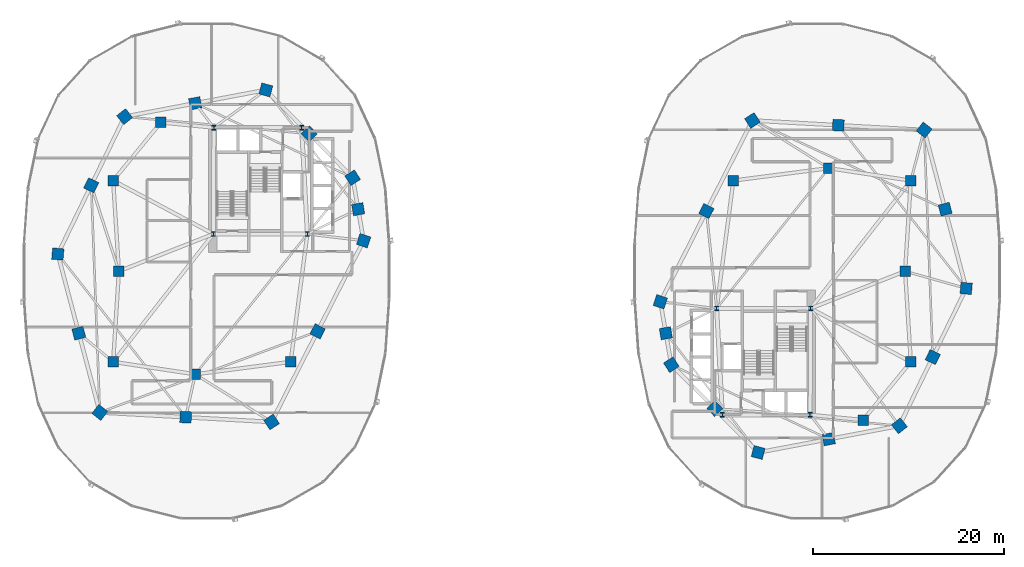
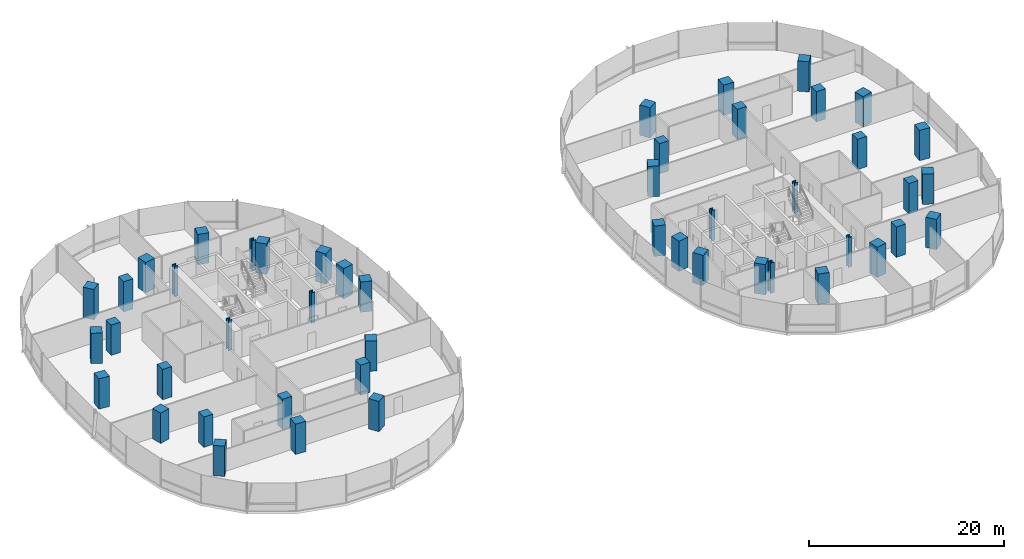
# One storey, part 1 of 21: 48 columns.
"""IFC4 building model written with IfcOpenShell, lengths in metres."""

from ifc_helpers import new_model, si_unit, direction, frame, origin, origin_2d, place, context, subcontext, project, spatial, rectangle, i_section, extrude, material, material_profile, profile_set, type_object, element, save


model = new_model("IFC4")

# Units and contexts
model_context = context("Model", 3, precision=1e-05, world=origin(), true_north=direction((0.0, 1.0)))
body_context = subcontext(model_context, "Body", "Model", "MODEL_VIEW")
ifc_project = project(units=[si_unit("LENGTHUNIT", "METRE"), si_unit("AREAUNIT", "SQUARE_METRE"), si_unit("VOLUMEUNIT", "CUBIC_METRE"), si_unit("PLANEANGLEUNIT", "RADIAN"), si_unit("MASSUNIT", "GRAM", prefix="KILO"), si_unit("THERMODYNAMICTEMPERATUREUNIT", "KELVIN"), si_unit("POWERUNIT", "WATT")], contexts=[model_context])

# Site, building, storey
site_placement = place(None, origin())
site = spatial("IfcSite", under=ifc_project, at=site_placement, CompositionType="ELEMENT")
building_placement = place(site_placement, origin())
building = spatial("IfcBuilding", under=site, at=building_placement, Name="Cundina Bronze Exchange", CompositionType="ELEMENT")
storey_placement = place(building_placement, frame((0.0, 0.0, 62.0)))
storey = spatial("IfcBuildingStorey", under=building, at=storey_placement, Name="L15", CompositionType="ELEMENT", Elevation=62.0)

# Columns
ifc_material_1 = material(Name="Steel ASTM A992 Grade 50", Category="steel")
ifc_material_profile_1 = material_profile(ifc_material_1, i_section(OverallWidth=0.431884765625, OverallDepth=0.498046875, WebThickness=0.0556640625, FlangeThickness=0.0888671875, FilletRadius=0.01806640625, at=origin_2d()), Name="W14X500", Category="steel")
ifc_profile_set_1 = profile_set([ifc_material_profile_1], Name="Steel ASTM A992 Grade 50")
column_type_1 = type_object("IfcColumnType", Name="COL-STL-W14A", PredefinedType="COLUMN", material=ifc_profile_set_1)
for number, where, z_axis, x_axis, name in (
    (1, (-31.300048828125, 3.89990234375, 0.0), (0.0, 0.0, 1.0), (1.0, 0.0, 0.0), "L15 Core Anchor Column W1"),
    (2, (-21.449951171875, 3.89990234375, 0.0), (0.0, 0.0, 1.0), (1.0, 0.0, 0.0), "L15 Core Anchor Column W2"),
    (3, (-22.050048828125, 15.050048828125, 0.0), (0.0, 0.0, 1.0), (1.0, 0.0, 0.0), "L15 Core Anchor Column W3"),
    (4, (-31.25, 15.050048828125, 0.0), (0.0, 0.0, 1.0), (1.0, 0.0, 0.0), "L15 Core Anchor Column W4"),
    (5, (31.300048828125, -3.89990234375, 0.0), (0.0, 0.0, 1.0), (1.0, 0.0, 0.0), "L15 Core Anchor Column E1"),
    (6, (21.449951171875, -3.89990234375, 0.0), (0.0, 0.0, 1.0), (1.0, 0.0, 0.0), "L15 Core Anchor Column E2"),
    (7, (22.050048828125, -15.050048828125, 0.0), (0.0, 0.0, 1.0), (1.0, 0.0, 0.0), "L15 Core Anchor Column E3"),
    (8, (31.25, -15.050048828125, 0.0), (0.0, 0.0, 1.0), (1.0, 0.0, 0.0), "L15 Core Anchor Column E4"),
):
    element("IfcColumn", number, at=place(storey_placement, frame(where, z_axis=z_axis, x_axis=x_axis)), inside=storey, type_object=column_type_1, Name=name, PredefinedType="COLUMN", context=body_context, shape_type="SweptSolid", body=[
        extrude(i_section(OverallWidth=0.431884765625, OverallDepth=0.498046875, WebThickness=0.0556640625, FlangeThickness=0.0888671875, FilletRadius=0.01806640625, at=origin_2d()), origin(), (0.0, 0.0, 1.0), 3.800048828125),
    ])
ifc_material_2 = material(Name="Concrete C60/75", Category="concrete")
ifc_material_profile_2 = material_profile(ifc_material_2, rectangle(XDim=1.199951171875, YDim=1.199951171875, at=origin_2d()), Name="RC1200X1200", Category="concrete")
ifc_profile_set_2 = profile_set([ifc_material_profile_2], Name="Concrete C60/75")
column_type_2 = type_object("IfcColumnType", Name="COL-Z1-1200", PredefinedType="COLUMN", material=ifc_profile_set_2)
for number, where, z_axis, x_axis, name in (
    (9, (-15.550048828125, 3.199951171875, 0.0), (0.0, 0.0, 1.0), (0.315152163383, 0.949041155016, 0.0), "L15 W Perimeter Column 00"),
    (10, (-16.125, 6.5, 0.0), (0.0, 0.0, 1.0), (-0.171585221787, 0.985169280715, 0.0), "L15 W Perimeter Column 01"),
    (11, (-16.699951171875, 9.800048828125, 0.0), (0.0, 0.0, 1.0), (-0.544199833495, 0.838955625301, 0.0), "L15 W Perimeter Column 02"),
    (12, (-21.25, 14.39990234375, 0.0), (0.0, 0.0, 1.0), (-0.703270634186, 0.710922228581, 0.0), "L15 W Perimeter Column 03"),
    (13, (-25.800048828125, 19.0, 0.0), (0.0, 0.0, 1.0), (-0.965970984022, 0.258650455301, 0.0), "L15 W Perimeter Column 04"),
    (14, (-33.199951171875, 17.60009765625, 0.0), (0.0, 0.0, 1.0), (-0.98258037664, -0.185838110843, 0.0), "L15 W Perimeter Column 05"),
    (15, (-40.60009765625, 16.199951171875, 0.0), (0.0, 0.0, 1.0), (-0.785100778485, -0.619368038909, 0.0), "L15 W Perimeter Column 06"),
    (16, (-44.10009765625, 9.0, 0.0), (0.0, 0.0, 1.0), (-0.437115766651, -0.899405251566, 0.0), "L15 W Perimeter Column 07"),
    (17, (-47.60009765625, 1.800048828125, 0.0), (0.0, 0.0, 1.0), (-0.083503921245, -0.996507448611, 0.0), "L15 W Perimeter Column 08"),
    (18, (-45.39990234375, -6.5, 0.0), (0.0, 0.0, 1.0), (0.256289373133, -0.966600102017, 0.0), "L15 W Perimeter Column 09"),
    (19, (-43.199951171875, -14.800048828125, 0.0), (0.0, 0.0, 1.0), (0.786288432137, -0.61785961309, 0.0), "L15 W Perimeter Column 10"),
    (20, (-34.199951171875, -15.300048828125, 0.0), (0.0, 0.0, 1.0), (0.998460188734, -0.055472980025, 0.0), "L15 W Perimeter Column 11"),
    (21, (-25.199951171875, -15.800048828125, 0.0), (0.0, 0.0, 1.0), (0.838099763533, 0.545516989988, 0.0), "L15 W Perimeter Column 12"),
    (22, (-20.375, -6.300048828125, 0.0), (0.0, 0.0, 1.0), (0.452901591366, 0.891560513111, 0.0), "L15 W Perimeter Column 13"),
    (23, (15.550048828125, -3.199951171875, 0.0), (0.0, 0.0, 1.0), (-0.315152163383, -0.949041155016, 0.0), "L15 E Perimeter Column 00"),
    (24, (16.125, -6.5, 0.0), (0.0, 0.0, 1.0), (0.171585221787, -0.985169280715, 0.0), "L15 E Perimeter Column 01"),
    (25, (16.699951171875, -9.800048828125, 0.0), (0.0, 0.0, 1.0), (0.544199833495, -0.838955625301, 0.0), "L15 E Perimeter Column 02"),
    (26, (21.25, -14.39990234375, 0.0), (0.0, 0.0, 1.0), (0.703270634186, -0.710922228581, 0.0), "L15 E Perimeter Column 03"),
    (27, (25.800048828125, -19.0, 0.0), (0.0, 0.0, 1.0), (0.965970984022, -0.258650455301, 0.0), "L15 E Perimeter Column 04"),
    (28, (33.199951171875, -17.60009765625, 0.0), (0.0, 0.0, 1.0), (0.98258037664, 0.185838110843, 0.0), "L15 E Perimeter Column 05"),
    (29, (40.60009765625, -16.199951171875, 0.0), (0.0, 0.0, 1.0), (0.785100778485, 0.619368038909, 0.0), "L15 E Perimeter Column 06"),
    (30, (44.10009765625, -9.0, 0.0), (0.0, 0.0, 1.0), (0.437115766651, 0.899405251566, 0.0), "L15 E Perimeter Column 07"),
    (31, (47.60009765625, -1.800048828125, 0.0), (0.0, 0.0, 1.0), (0.083503921245, 0.996507448611, 0.0), "L15 E Perimeter Column 08"),
    (32, (45.39990234375, 6.5, 0.0), (0.0, 0.0, 1.0), (-0.256289373133, 0.966600102017, 0.0), "L15 E Perimeter Column 09"),
    (33, (43.199951171875, 14.800048828125, 0.0), (0.0, 0.0, 1.0), (-0.786288432137, 0.61785961309, 0.0), "L15 E Perimeter Column 10"),
    (34, (34.199951171875, 15.300048828125, 0.0), (0.0, 0.0, 1.0), (-0.998460188734, 0.055472980025, 0.0), "L15 E Perimeter Column 11"),
    (35, (25.199951171875, 15.800048828125, 0.0), (0.0, 0.0, 1.0), (-0.838099763533, -0.545516989988, 0.0), "L15 E Perimeter Column 12"),
    (36, (20.375, 6.300048828125, 0.0), (0.0, 0.0, 1.0), (-0.452901591366, -0.891560513111, 0.0), "L15 E Perimeter Column 13"),
):
    element("IfcColumn", number, at=place(storey_placement, frame(where, z_axis=z_axis, x_axis=x_axis)), inside=storey, type_object=column_type_2, Name=name, PredefinedType="COLUMN", context=body_context, shape_type="SweptSolid", body=[
        extrude(rectangle(XDim=1.199951171875, YDim=1.199951171875, at=origin_2d()), origin(), (0.0, 0.0, 1.0), 3.800048828125),
    ])
ifc_material_profile_3 = material_profile(ifc_material_2, rectangle(XDim=1.10009765625, YDim=1.10009765625, at=origin_2d()), Name="RC1100X1100", Category="concrete")
ifc_profile_set_3 = profile_set([ifc_material_profile_3], Name="Concrete C60/75")
column_type_3 = type_object("IfcColumnType", Name="COL-Z2-1100", PredefinedType="COLUMN", material=ifc_profile_set_3)
for number, where, z_axis, x_axis, name in (
    (37, (-41.199951171875, 0.0, 0.0), (0.0, 0.0, 1.0), (1.0, 0.0, 0.0), "L15 W Inner Ring Column 1"),
    (38, (-41.800048828125, 9.5, 0.0), (0.0, 0.0, 1.0), (1.0, 0.0, 0.0), "L15 W Inner Ring Column 2"),
    (39, (-36.800048828125, 15.60009765625, 0.0), (0.0, 0.0, 1.0), (1.0, 0.0, 0.0), "L15 W Inner Ring Column 3"),
    (40, (-41.800048828125, -9.5, 0.0), (0.0, 0.0, 1.0), (1.0, 0.0, 0.0), "L15 W Inner Ring Column 4"),
    (41, (-33.199951171875, -10.800048828125, 0.0), (0.0, 0.0, 1.0), (1.0, 0.0, 0.0), "L15 W Inner Ring Column 5"),
    (42, (-23.199951171875, -9.5, 0.0), (0.0, 0.0, 1.0), (1.0, 0.0, 0.0), "L15 W Inner Ring Column 6"),
    (43, (41.199951171875, 0.0, 0.0), (0.0, 0.0, 1.0), (1.0, 0.0, 0.0), "L15 E Inner Ring Column 1"),
    (44, (41.800048828125, -9.5, 0.0), (0.0, 0.0, 1.0), (1.0, 0.0, 0.0), "L15 E Inner Ring Column 2"),
    (45, (36.800048828125, -15.60009765625, 0.0), (0.0, 0.0, 1.0), (1.0, 0.0, 0.0), "L15 E Inner Ring Column 3"),
    (46, (41.800048828125, 9.5, 0.0), (0.0, 0.0, 1.0), (1.0, 0.0, 0.0), "L15 E Inner Ring Column 4"),
    (47, (33.199951171875, 10.800048828125, 0.0), (0.0, 0.0, 1.0), (1.0, 0.0, 0.0), "L15 E Inner Ring Column 5"),
    (48, (23.199951171875, 9.5, 0.0), (0.0, 0.0, 1.0), (1.0, 0.0, 0.0), "L15 E Inner Ring Column 6"),
):
    element("IfcColumn", number, at=place(storey_placement, frame(where, z_axis=z_axis, x_axis=x_axis)), inside=storey, type_object=column_type_3, Name=name, PredefinedType="COLUMN", context=body_context, shape_type="SweptSolid", body=[
        extrude(rectangle(XDim=1.10009765625, YDim=1.10009765625, at=origin_2d()), origin(), (0.0, 0.0, 1.0), 3.800048828125),
    ])

save(model, "model.ifc")
